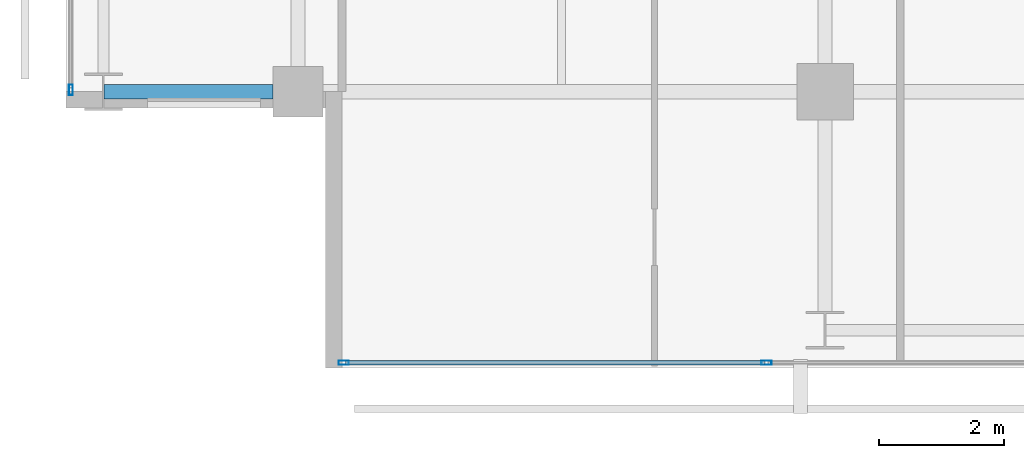
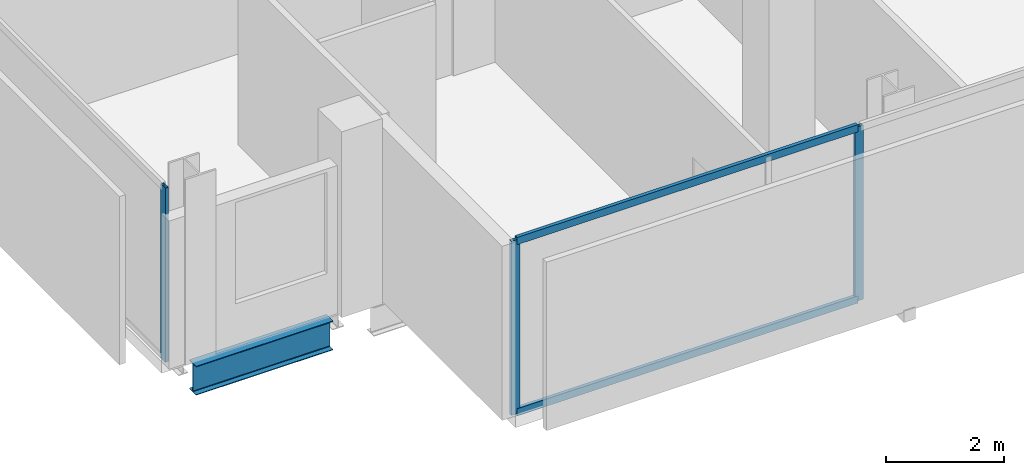
# One storey, part 2 of 34: 5 members, 1 beam, 2 elements without a shape of their own.
"""IFC4 building model written with IfcOpenShell, lengths in metres."""

from ifc_helpers import new_model, si_unit, direction, frame, origin, origin_2d, place, context, subcontext, project, spatial, hollow_rectangle, i_section, extrude, material, layer, layer_set, material_profile, profile_set, type_object, element, aggregate, save


model = new_model("IFC4")

# Units and contexts
model_context = context("Model", 3, precision=1e-05, world=origin(), true_north=direction((0.0, 1.0)))
body_context = subcontext(model_context, "Body", "Model", "MODEL_VIEW")
ifc_project = project(units=[si_unit("LENGTHUNIT", "METRE"), si_unit("AREAUNIT", "SQUARE_METRE"), si_unit("VOLUMEUNIT", "CUBIC_METRE"), si_unit("PLANEANGLEUNIT", "RADIAN"), si_unit("MASSUNIT", "GRAM", prefix="KILO")], contexts=[model_context])

# Site, building, storey
site_placement = place(None, origin())
site = spatial("IfcSite", under=ifc_project, at=site_placement, CompositionType="ELEMENT")
building_placement = place(site_placement, origin())
building = spatial("IfcBuilding", under=site, at=building_placement, Name="Maruvema Waterfront Hotel and Observation Tower", CompositionType="ELEMENT")
storey_placement = place(building_placement, frame((0.0, 0.0, 192.85009765625)))
storey = spatial("IfcBuildingStorey", under=building, at=storey_placement, Name="L47", CompositionType="ELEMENT", Elevation=192.85009765625)

# Curtain wall, members
ifc_material_1 = material(Name="Anodised bronze aluminium and solar-control low-E IGU", Category="aluminium")
ifc_layer = layer(ifc_material_1, 0.159912109375, Name="Zone 2 Amber Inner Thermal Curtain Wall System CW-03")
ifc_layer_set = layer_set([ifc_layer], Name="Anodised bronze aluminium and solar-control low-E IGU")
curtain_wall_type = type_object("IfcCurtainWallType", Name="Zone 2 Amber Inner Thermal Curtain Wall System CW-03", PredefinedType="USERDEFINED", material=ifc_layer_set)
curtain_wall_1_placement = place(storey_placement, origin())
curtain_wall_1 = element("IfcCurtainWall", 1, at=curtain_wall_1_placement, inside=storey, type_object=curtain_wall_type, Name="L47 Curtain Wall CW-L47-S", ObjectType="UNITISED CURTAIN WALL", PredefinedType="USERDEFINED")
ifc_material_2 = material(Name="Anodised architectural bronze aluminium", Category="aluminium")
ifc_material_profile_1 = material_profile(ifc_material_2, hollow_rectangle(XDim=0.070068359375, YDim=0.14990234375, WallThickness=0.00390625, at=origin_2d()), Name="ALU-T70x150")
ifc_profile_set_1 = profile_set([ifc_material_profile_1], Name="Anodised architectural bronze aluminium")
member_type_1 = type_object("IfcMemberType", Name="Curtain Wall Horizontal Transom ALU-T70x150", PredefinedType="USERDEFINED", material=ifc_profile_set_1)
member_1_placement = place(storey_placement, frame((17.56005859375, 4.679931640625, 0.02978515625), z_axis=(1.0, 0.0, 0.0), x_axis=(0.0, 1.0, 0.0)))
member_1 = element("IfcMember", 2, at=member_1_placement, type_object=member_type_1, Name="CW-03 transom 1.1", ObjectType="TRANSOM", PredefinedType="USERDEFINED", context=body_context, shape_type="SweptSolid", body=[
    extrude(hollow_rectangle(XDim=0.070068359375, YDim=0.14990234375, WallThickness=0.00390625, at=origin_2d()), origin(), (0.0, 0.0, 1.0), 6.676513671875),
])
member_2_placement = place(storey_placement, frame((17.56005859375, 4.679931640625, 3.579833984375), z_axis=(1.0, 0.0, 0.0), x_axis=(0.0, 1.0, 0.0)))
member_2 = element("IfcMember", 3, at=member_2_placement, type_object=member_type_1, Name="CW-03 transom 1.2", ObjectType="TRANSOM", PredefinedType="USERDEFINED", context=body_context, shape_type="SweptSolid", body=[
    extrude(hollow_rectangle(XDim=0.070068359375, YDim=0.14990234375, WallThickness=0.00390625, at=origin_2d()), origin(), (0.0, 0.0, 1.0), 6.676513671875),
])
ifc_material_3 = material(Name="Anodised architectural bronze aluminium", Category="aluminium")
ifc_material_profile_2 = material_profile(ifc_material_3, hollow_rectangle(XDim=0.06494140625, YDim=0.1650390625, WallThickness=0.00390625, at=origin_2d()), Name="ALU-M65x165")
ifc_profile_set_2 = profile_set([ifc_material_profile_2], Name="Anodised architectural bronze aluminium")
member_type_2 = type_object("IfcMemberType", Name="Curtain Wall Primary Mullion ALU-M65x165", PredefinedType="MULLION", material=ifc_profile_set_2)
member_3_placement = place(storey_placement, frame((17.530029296875, 4.679931640625, 0.0), z_axis=(0.0, 0.0, 1.0), x_axis=(0.0, 1.0, 0.0)))
member_3 = element("IfcMember", 4, at=member_3_placement, type_object=member_type_2, Name="CW-03 mullion 1", PredefinedType="MULLION", context=body_context, shape_type="SweptSolid", body=[
    extrude(hollow_rectangle(XDim=0.06494140625, YDim=0.1650390625, WallThickness=0.00390625, at=origin_2d()), origin(), (0.0, 0.0, 1.0), 3.60986328125),
])
member_4_placement = place(storey_placement, frame((24.2666015625, 4.679931640625, 0.0), z_axis=(0.0, 0.0, 1.0), x_axis=(0.0, 1.0, 0.0)))
member_4 = element("IfcMember", 5, at=member_4_placement, type_object=member_type_2, Name="CW-03 mullion 2", PredefinedType="MULLION", context=body_context, shape_type="SweptSolid", body=[
    extrude(hollow_rectangle(XDim=0.06494140625, YDim=0.1650390625, WallThickness=0.00390625, at=origin_2d()), origin(), (0.0, 0.0, 1.0), 3.60986328125),
])
aggregate(curtain_wall_1, [member_3, member_4, member_1, member_2])

# Curtain wall, member
curtain_wall_2_placement = place(storey_placement, origin())
curtain_wall_2 = element("IfcCurtainWall", 6, at=curtain_wall_2_placement, inside=storey, type_object=curtain_wall_type, Name="L47 Curtain Wall CW-L47-W", ObjectType="UNITISED CURTAIN WALL", PredefinedType="USERDEFINED")
member_5_placement = place(storey_placement, frame((13.179931640625, 9.030029296875, 0.0), z_axis=(0.0, 0.0, 1.0), x_axis=(1.0, 0.0, 0.0)))
member_5 = element("IfcMember", 7, at=member_5_placement, type_object=member_type_2, Name="CW-03 mullion 7", PredefinedType="MULLION", context=body_context, shape_type="SweptSolid", body=[
    extrude(hollow_rectangle(XDim=0.06494140625, YDim=0.1650390625, WallThickness=0.00390625, at=origin_2d()), origin(), (0.0, 0.0, 1.0), 3.60986328125),
])
aggregate(curtain_wall_2, [member_5])

# Beam
ifc_material_4 = material(Name="Steel ASTM A572 Grade 50", Category="steel")
ifc_material_profile_3 = material_profile(ifc_material_4, i_section(OverallWidth=0.22802734375, OverallDepth=0.60302734375, WebThickness=0.010498046875, FlangeThickness=0.014892578125, FilletRadius=0.01806640625, at=origin_2d()), Name="W610x101.0")
ifc_profile_set_3 = profile_set([ifc_material_profile_3], Name="Steel ASTM A572 Grade 50")
beam_type = type_object("IfcBeamType", Name="Primary Floor Girder W610x101.0", PredefinedType="BEAM", material=ifc_profile_set_3)
beam_placement = place(storey_placement, frame((13.71240234375, 9.0, -0.54150390625), z_axis=(1.0, 0.0, 0.0), x_axis=(0.0, 1.0, 0.0)))
element("IfcBeam", 8, at=beam_placement, inside=storey, type_object=beam_type, Name="L47 Floor Girder EW-04", PredefinedType="BEAM", context=body_context, shape_type="SweptSolid", body=[
    extrude(i_section(OverallWidth=0.22802734375, OverallDepth=0.60302734375, WebThickness=0.010498046875, FlangeThickness=0.014892578125, FilletRadius=0.01806640625, at=origin_2d()), origin(), (0.0, 0.0, 1.0), 2.6875),
])

save(model, "model.ifc")
